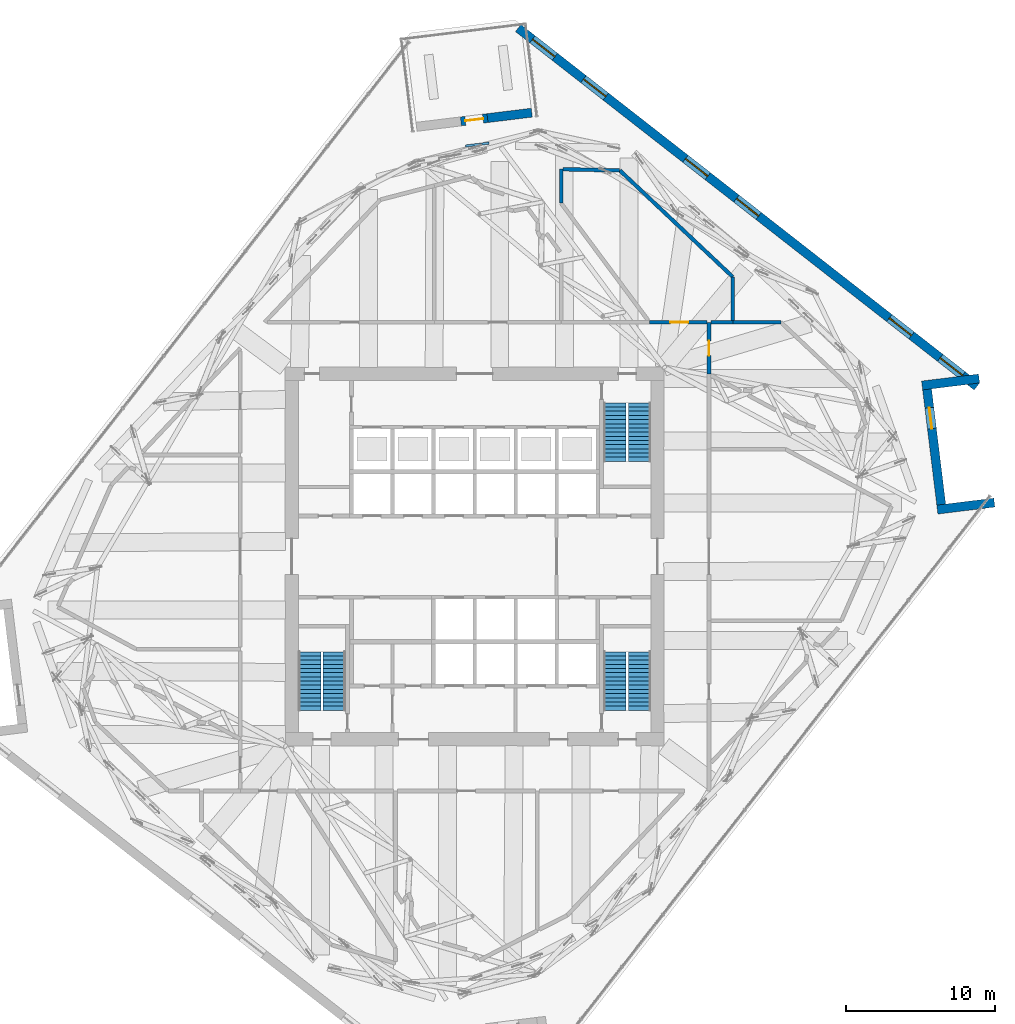
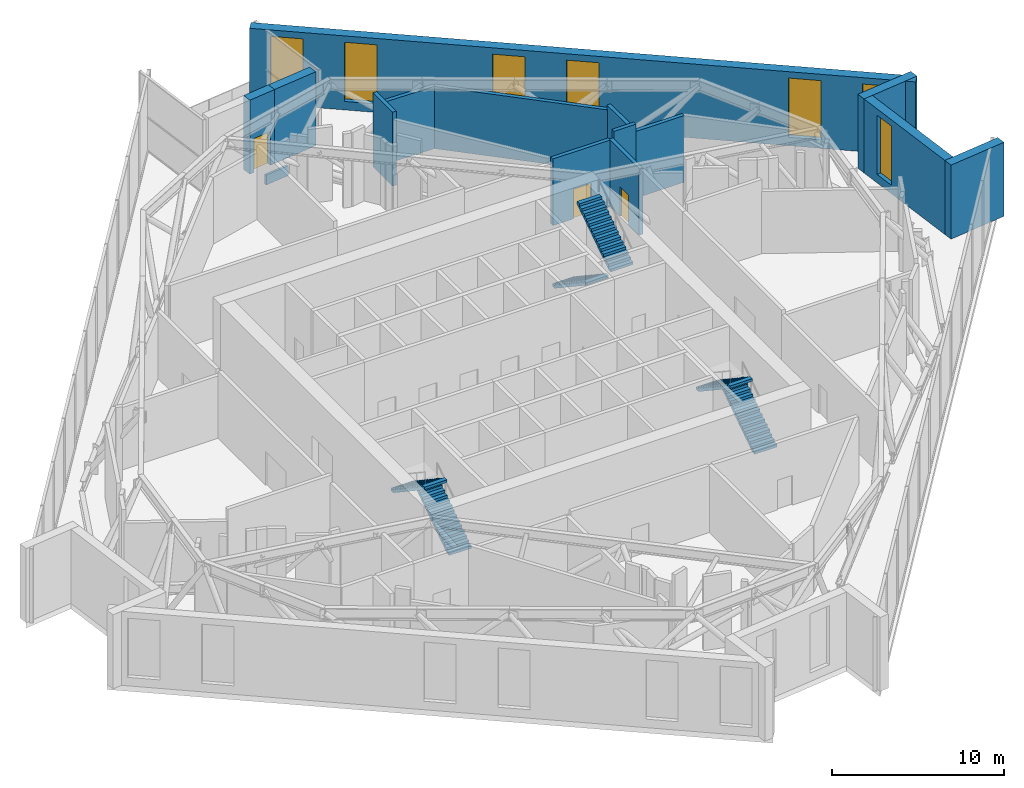
# One storey, part 16 of 23: 15 walls, 7 windows, 6 stair flights, 3 doors, 10 openings, 3 elements without a shape of their own.
"""IFC4 building model written with IfcOpenShell, lengths in metres."""

from ifc_helpers import new_model, si_unit, direction, frame, frame_2d, origin, place, context, subcontext, project, spatial, polyline, rectangle, outline, extrude, material, layer, layer_set, type_object, element, fill, aggregate, save


model = new_model("IFC4")

# Units and contexts
model_context = context("Model", 3, precision=1e-05, world=origin(), true_north=direction((0.0, 1.0)))
body_context = subcontext(model_context, "Body", "Model", "MODEL_VIEW")
ifc_project = project(units=[si_unit("LENGTHUNIT", "METRE"), si_unit("AREAUNIT", "SQUARE_METRE"), si_unit("VOLUMEUNIT", "CUBIC_METRE"), si_unit("PLANEANGLEUNIT", "RADIAN"), si_unit("MASSUNIT", "GRAM", prefix="KILO")], contexts=[model_context])

# Site, building, storey
site_placement = place(None, origin())
site = spatial("IfcSite", under=ifc_project, at=site_placement, CompositionType="ELEMENT")
building_placement = place(site_placement, origin())
building = spatial("IfcBuilding", under=site, at=building_placement, Name="Dilmun Exchange Tower", CompositionType="ELEMENT")
storey_placement = place(building_placement, frame((0.0, 0.0, 237.300048828125)))
storey = spatial("IfcBuildingStorey", under=building, at=storey_placement, Name="L56", CompositionType="ELEMENT", Elevation=237.300048828125)

# Wall, opening, door
ifc_material_1 = material(Name="Concrete C32/40", Category="concrete")
ifc_layer_1 = layer(ifc_material_1, 0.25)
ifc_layer_set_1 = layer_set([ifc_layer_1], Name="Concrete C32/40")
wall_type_1 = type_object("IfcWallType", Name="Plant room wall 250", PredefinedType="PARTITIONING", material=ifc_layer_set_1)
wall_1_placement = place(storey_placement, frame((15.699951171875, 12.227294921875, 0.0), z_axis=(0.0, 0.0, 1.0), x_axis=(0.0, 1.0, 0.0)))
wall_1 = element("IfcWall", 1, at=wall_1_placement, inside=storey, type_object=wall_type_1, Name="L56 plant room wall 72", PredefinedType="PARTITIONING", context=body_context, shape_type="SweptSolid", body=[
    extrude(rectangle(XDim=3.47265625, YDim=0.25, at=frame_2d((1.736328125, 0.0))), origin(), (0.0, 0.0, 1.0), 4.719970703125),
])
opening_1_placement = place(wall_1_placement, frame((1.232421875, 0.0, 0.0)))
opening_1 = element("IfcOpeningElement", 2, at=opening_1_placement, cuts=wall_1, Name="Opening PD1", PredefinedType="OPENING", context=body_context, shape_type="SweptSolid", body=[
    extrude(rectangle(XDim=1.0, YDim=2.10009765625, at=frame_2d((0.5, 1.050048828125))), frame((0.0, 0.135009765625, 0.0), z_axis=(0.0, -1.0, 0.0), x_axis=(1.0, 0.0, 0.0)), (0.0, 0.0, 1.0), 0.27001953125),
])
ifc_material_2 = material(Name="Fire-rated steel door set", Category="steel")
door_type_1 = type_object("IfcDoorType", Name="Plant room door 1000x2100", OperationType="SINGLE_SWING_LEFT", PredefinedType="DOOR", material=ifc_material_2)
door_1_placement = place(opening_1_placement, origin())
door_1 = element("IfcDoor", 3, at=door_1_placement, inside=storey, type_object=door_type_1, Name="L56 door Refuge area", OperationType="SINGLE_SWING_LEFT", OverallHeight=2.10009765625, OverallWidth=1.0, PredefinedType="DOOR", context=body_context, shape_type="SweptSolid", body=[
    extrude(rectangle(XDim=1.0, YDim=2.10009765625, at=frame_2d((0.5, 1.050048828125))), frame((0.0, 0.02490234375, 0.0), z_axis=(0.0, -1.0, 0.0), x_axis=(1.0, 0.0, 0.0)), (0.0, 0.0, 1.0), 0.050048828125),
])
fill(opening_1, door_1)

wall_2_placement = place(storey_placement, frame((11.723388671875, 15.699951171875, 0.0), z_axis=(0.0, 0.0, 1.0), x_axis=(1.0, 0.0, 0.0)))
wall_2 = element("IfcWall", 4, at=wall_2_placement, inside=storey, type_object=wall_type_1, Name="L56 plant room wall 79", PredefinedType="PARTITIONING", context=body_context, shape_type="SweptSolid", body=[
    extrude(rectangle(XDim=3.8466796875, YDim=0.25, at=frame_2d((1.92333984375, 0.0))), origin(), (0.0, 0.0, 1.0), 4.719970703125),
])
opening_2_placement = place(wall_2_placement, frame((1.38330078125, 0.0, 0.0)))
opening_2 = element("IfcOpeningElement", 5, at=opening_2_placement, cuts=wall_2, Name="Opening PD2", PredefinedType="OPENING", context=body_context, shape_type="SweptSolid", body=[
    extrude(rectangle(XDim=1.199951171875, YDim=2.10009765625, at=frame_2d((0.60009765625, 1.050048828125))), frame((0.0, 0.135009765625, 0.0), z_axis=(0.0, -1.0, 0.0), x_axis=(1.0, 0.0, 0.0)), (0.0, 0.0, 1.0), 0.27001953125),
])
door_type_2 = type_object("IfcDoorType", Name="Plant room door 1200x2100", OperationType="SINGLE_SWING_LEFT", PredefinedType="DOOR", material=ifc_material_2)
door_2_placement = place(opening_2_placement, origin())
door_2 = element("IfcDoor", 6, at=door_2_placement, inside=storey, type_object=door_type_2, Name="L56 door Plant fire pump room", OperationType="SINGLE_SWING_RIGHT", OverallHeight=2.10009765625, OverallWidth=1.199951171875, PredefinedType="DOOR", context=body_context, shape_type="SweptSolid", body=[
    extrude(rectangle(XDim=1.199951171875, YDim=2.10009765625, at=frame_2d((0.60009765625, 1.050048828125))), frame((0.0, 0.02490234375, 0.0), z_axis=(0.0, -1.0, 0.0), x_axis=(1.0, 0.0, 0.0)), (0.0, 0.0, 1.0), 0.050048828125),
])
fill(opening_2, door_2)

# Walls
wall_3_placement = place(storey_placement, frame((15.830078125, 15.699951171875, 0.0), z_axis=(0.0, 0.0, 1.0), x_axis=(1.0, 0.0, 0.0)))
element("IfcWall", 7, at=wall_3_placement, inside=storey, type_object=wall_type_1, Name="L56 plant room wall 80", PredefinedType="PARTITIONING", context=body_context, shape_type="SweptSolid", body=[
    extrude(rectangle(XDim=1.469970703125, YDim=0.25, at=frame_2d((0.73486328125, 0.0))), origin(), (0.0, 0.0, 1.0), 5.239990234375),
])
wall_4_placement = place(storey_placement, frame((17.304931640625, 15.699951171875, 0.0), z_axis=(0.0, 0.0, 1.0), x_axis=(1.0, 0.0, 0.0)))
element("IfcWall", 8, at=wall_4_placement, inside=storey, type_object=wall_type_1, Name="L56 plant room wall 81", PredefinedType="PARTITIONING", context=body_context, shape_type="SweptSolid", body=[
    extrude(rectangle(XDim=3.215576171875, YDim=0.25, at=frame_2d((1.60791015625, 0.0))), origin(), (0.0, 0.0, 1.0), 4.719970703125),
])
wall_5_placement = place(storey_placement, frame((17.300048828125, 15.830078125, 0.0), z_axis=(0.0, 0.0, 1.0), x_axis=(0.0, 1.0, 0.0)))
element("IfcWall", 9, at=wall_5_placement, inside=storey, type_object=wall_type_1, Name="L56 plant room wall 83", PredefinedType="PARTITIONING", context=body_context, shape_type="SweptSolid", body=[
    extrude(rectangle(XDim=2.905517578125, YDim=0.25, at=frame_2d((1.45263671875, 0.0))), origin(), (0.0, 0.0, 1.0), 4.719970703125),
])
wall_6_placement = place(storey_placement, frame((5.800048828125, 23.6787109375, 0.0), z_axis=(0.0, 0.0, 1.0), x_axis=(0.0, 1.0, 0.0)))
element("IfcWall", 10, at=wall_6_placement, inside=storey, type_object=wall_type_1, Name="L56 plant room wall 92", PredefinedType="PARTITIONING", context=body_context, shape_type="SweptSolid", body=[
    extrude(rectangle(XDim=2.276123046875, YDim=0.25, at=frame_2d((1.13818359375, 0.0))), origin(), (0.0, 0.0, 1.0), 5.239990234375),
])
wall_7_placement = place(storey_placement, frame((9.724853515625, 25.8759765625, 0.0), z_axis=(0.0, 0.0, 1.0), x_axis=(0.72767407702, -0.685923055185, 0.0)))
element("IfcWall", 11, at=wall_7_placement, inside=storey, type_object=wall_type_1, Name="L56 plant room wall 99", PredefinedType="PARTITIONING", context=body_context, shape_type="SweptSolid", body=[
    extrude(rectangle(XDim=10.40283203125, YDim=0.25, at=frame_2d((5.201416015625, 0.0))), origin(), (0.0, 0.0, 1.0), 4.406005859375),
])
wall_8_placement = place(storey_placement, frame((5.929931640625, 25.952392578125, 0.0), z_axis=(0.0, 0.0, 1.0), x_axis=(0.999797889921, -0.020104211244, 0.0)))
element("IfcWall", 12, at=wall_8_placement, inside=storey, type_object=wall_type_1, Name="L56 plant room wall 100", PredefinedType="PARTITIONING", context=body_context, shape_type="SweptSolid", body=[
    extrude(rectangle(XDim=3.788818359375, YDim=0.25, at=frame_2d((1.89453125, 0.0))), origin(), (0.0, 0.0, 1.0), 4.406005859375),
])
ifc_material_3 = material(Name="Precast concrete C50/60", Category="concrete")
ifc_layer_2 = layer(ifc_material_3, 0.60009765625)
ifc_layer_set_2 = layer_set([ifc_layer_2], Name="Precast concrete C50/60")
wall_type_2 = type_object("IfcWallType", Name="Precast stone-clad wall 600", PredefinedType="STANDARD", material=ifc_layer_set_2)
wall_9_placement = place(storey_placement, frame((34.820556640625, 3.616943359375, 0.0), z_axis=(0.0, 0.0, 1.0), x_axis=(-0.992546957467, -0.1218627803, 0.0)))
element("IfcWall", 13, at=wall_9_placement, inside=storey, type_object=wall_type_2, Name="Facade wall L56-12", PredefinedType="STANDARD", context=body_context, shape_type="SweptSolid", body=[
    extrude(rectangle(XDim=3.846435546875, YDim=0.60009765625, at=frame_2d((1.92333984375, 0.0))), origin(), (0.0, 0.0, 1.0), 5.239990234375),
])

# Wall, opening, window
wall_10_placement = place(storey_placement, frame((31.263916015625, 3.482421875, 0.0), z_axis=(0.0, 0.0, 1.0), x_axis=(-0.121878824437, 0.992544987471, 0.0)))
wall_10 = element("IfcWall", 14, at=wall_10_placement, inside=storey, type_object=wall_type_2, Name="Facade wall L56-13", PredefinedType="STANDARD", context=body_context, shape_type="SweptSolid", body=[
    extrude(rectangle(XDim=7.7783203125, YDim=0.60009765625, at=frame_2d((3.88916015625, 0.0))), origin(), (0.0, 0.0, 1.0), 5.239990234375),
])
opening_3_placement = place(wall_10_placement, frame((5.133544921875, 0.0, 0.60009765625)))
opening_3 = element("IfcOpeningElement", 15, at=opening_3_placement, cuts=wall_10, Name="Opening LV140-419", PredefinedType="OPENING", context=body_context, shape_type="SweptSolid", body=[
    extrude(rectangle(XDim=1.39990234375, YDim=4.18994140625, at=frame_2d((0.699951171875, 2.094970703125))), frame((0.0, 0.31005859375, 0.0), z_axis=(0.0, -1.0, 0.0), x_axis=(1.0, 0.0, 0.0)), (0.0, 0.0, 1.0), 0.6201171875),
])
ifc_material_4 = material(Name="Anodised aluminium louvre blades with sand trap", Category="aluminium")
window_type_1 = type_object("IfcWindowType", Name="Plant louvre 1400 x 4190", PartitioningType="SINGLE_PANEL", PredefinedType="USERDEFINED", material=ifc_material_4)
window_1_placement = place(opening_3_placement, origin())
window_1 = element("IfcWindow", 16, at=window_1_placement, inside=storey, type_object=window_type_1, Name="Plant louvre 14.2", ObjectType="LOUVRE", OverallHeight=4.18994140625, OverallWidth=1.39990234375, PartitioningType="SINGLE_PANEL", PredefinedType="USERDEFINED", context=body_context, shape_type="SweptSolid", body=[
    extrude(rectangle(XDim=1.39990234375, YDim=4.18994140625, at=frame_2d((0.699951171875, 2.094970703125))), frame((0.0, 0.030029296875, 0.0), z_axis=(0.0, -1.0, 0.0), x_axis=(1.0, 0.0, 0.0)), (0.0, 0.0, 1.0), 0.06005859375),
])
fill(opening_3, window_1)

# Wall
wall_11_placement = place(storey_placement, frame((29.981689453125, 11.4638671875, 0.0), z_axis=(0.0, 0.0, 1.0), x_axis=(0.992546957467, 0.1218627803, 0.0)))
element("IfcWall", 17, at=wall_11_placement, inside=storey, type_object=wall_type_2, Name="Facade wall L56-14", PredefinedType="STANDARD", context=body_context, shape_type="SweptSolid", body=[
    extrude(rectangle(XDim=3.846435546875, YDim=0.60009765625, at=frame_2d((1.92333984375, 0.0))), origin(), (0.0, 0.0, 1.0), 5.239990234375),
])

# Wall, openings, windows
wall_12_placement = place(storey_placement, frame((33.6513671875, 11.3984375, 0.0), z_axis=(0.0, 0.0, 1.0), x_axis=(-0.788011466291, 0.61566056313, 0.0)))
wall_12 = element("IfcWall", 18, at=wall_12_placement, inside=storey, type_object=wall_type_2, Name="Facade wall L56-15", PredefinedType="STANDARD", context=body_context, shape_type="SweptSolid", body=[
    extrude(rectangle(XDim=39.0, YDim=0.60009765625, at=frame_2d((19.5, 0.0))), origin(), (0.0, 0.0, 1.0), 5.239990234375),
])
opening_4_placement = place(wall_12_placement, frame((1.216796875, 0.0, 0.60009765625)))
opening_4 = element("IfcOpeningElement", 19, at=opening_4_placement, cuts=wall_12, Name="Opening LV190-419", PredefinedType="OPENING", context=body_context, shape_type="SweptSolid", body=[
    extrude(rectangle(XDim=1.89990234375, YDim=4.18994140625, at=frame_2d((0.949951171875, 2.094970703125))), frame((0.0, 0.31005859375, 0.0), z_axis=(0.0, -1.0, 0.0), x_axis=(1.0, 0.0, 0.0)), (0.0, 0.0, 1.0), 0.6201171875),
])
opening_5_placement = place(wall_12_placement, frame((5.550048828125, 0.0, 0.60009765625)))
opening_5 = element("IfcOpeningElement", 20, at=opening_5_placement, cuts=wall_12, Name="Opening LV190-419", PredefinedType="OPENING", context=body_context, shape_type="SweptSolid", body=[
    extrude(rectangle(XDim=1.89990234375, YDim=4.18994140625, at=frame_2d((0.949951171875, 2.094970703125))), frame((0.0, 0.31005859375, 0.0), z_axis=(0.0, -1.0, 0.0), x_axis=(1.0, 0.0, 0.0)), (0.0, 0.0, 1.0), 0.6201171875),
])
opening_6_placement = place(wall_12_placement, frame((18.550048828125, 0.0, 0.60009765625)))
opening_6 = element("IfcOpeningElement", 21, at=opening_6_placement, cuts=wall_12, Name="Opening LV190-419", PredefinedType="OPENING", context=body_context, shape_type="SweptSolid", body=[
    extrude(rectangle(XDim=1.89990234375, YDim=4.18994140625, at=frame_2d((0.949951171875, 2.094970703125))), frame((0.0, 0.31005859375, 0.0), z_axis=(0.0, -1.0, 0.0), x_axis=(1.0, 0.0, 0.0)), (0.0, 0.0, 1.0), 0.6201171875),
])
opening_7_placement = place(wall_12_placement, frame((22.88330078125, 0.0, 0.60009765625)))
opening_7 = element("IfcOpeningElement", 22, at=opening_7_placement, cuts=wall_12, Name="Opening LV190-419", PredefinedType="OPENING", context=body_context, shape_type="SweptSolid", body=[
    extrude(rectangle(XDim=1.89990234375, YDim=4.18994140625, at=frame_2d((0.949951171875, 2.094970703125))), frame((0.0, 0.31005859375, 0.0), z_axis=(0.0, -1.0, 0.0), x_axis=(1.0, 0.0, 0.0)), (0.0, 0.0, 1.0), 0.6201171875),
])
opening_8_placement = place(wall_12_placement, frame((31.550048828125, 0.0, 0.60009765625)))
opening_8 = element("IfcOpeningElement", 23, at=opening_8_placement, cuts=wall_12, Name="Opening LV190-419", PredefinedType="OPENING", context=body_context, shape_type="SweptSolid", body=[
    extrude(rectangle(XDim=1.89990234375, YDim=4.18994140625, at=frame_2d((0.949951171875, 2.094970703125))), frame((0.0, 0.31005859375, 0.0), z_axis=(0.0, -1.0, 0.0), x_axis=(1.0, 0.0, 0.0)), (0.0, 0.0, 1.0), 0.6201171875),
])
opening_9_placement = place(wall_12_placement, frame((35.88330078125, 0.0, 0.60009765625)))
opening_9 = element("IfcOpeningElement", 24, at=opening_9_placement, cuts=wall_12, Name="Opening LV190-419", PredefinedType="OPENING", context=body_context, shape_type="SweptSolid", body=[
    extrude(rectangle(XDim=1.89990234375, YDim=4.18994140625, at=frame_2d((0.949951171875, 2.094970703125))), frame((0.0, 0.31005859375, 0.0), z_axis=(0.0, -1.0, 0.0), x_axis=(1.0, 0.0, 0.0)), (0.0, 0.0, 1.0), 0.6201171875),
])
window_type_2 = type_object("IfcWindowType", Name="Plant louvre 1900 x 4190", PartitioningType="SINGLE_PANEL", PredefinedType="USERDEFINED", material=ifc_material_4)
window_2_placement = place(opening_4_placement, origin())
window_2 = element("IfcWindow", 25, at=window_2_placement, inside=storey, type_object=window_type_2, Name="Plant louvre 16.1", ObjectType="LOUVRE", OverallHeight=4.18994140625, OverallWidth=1.89990234375, PartitioningType="SINGLE_PANEL", PredefinedType="USERDEFINED", context=body_context, shape_type="SweptSolid", body=[
    extrude(rectangle(XDim=1.89990234375, YDim=4.18994140625, at=frame_2d((0.949951171875, 2.094970703125))), frame((0.0, 0.030029296875, 0.0), z_axis=(0.0, -1.0, 0.0), x_axis=(1.0, 0.0, 0.0)), (0.0, 0.0, 1.0), 0.06005859375),
])
fill(opening_4, window_2)
window_3_placement = place(opening_5_placement, origin())
window_3 = element("IfcWindow", 26, at=window_3_placement, inside=storey, type_object=window_type_2, Name="Plant louvre 16.2", ObjectType="LOUVRE", OverallHeight=4.18994140625, OverallWidth=1.89990234375, PartitioningType="SINGLE_PANEL", PredefinedType="USERDEFINED", context=body_context, shape_type="SweptSolid", body=[
    extrude(rectangle(XDim=1.89990234375, YDim=4.18994140625, at=frame_2d((0.949951171875, 2.094970703125))), frame((0.0, 0.030029296875, 0.0), z_axis=(0.0, -1.0, 0.0), x_axis=(1.0, 0.0, 0.0)), (0.0, 0.0, 1.0), 0.06005859375),
])
fill(opening_5, window_3)
window_4_placement = place(opening_6_placement, origin())
window_4 = element("IfcWindow", 27, at=window_4_placement, inside=storey, type_object=window_type_2, Name="Plant louvre 16.5", ObjectType="LOUVRE", OverallHeight=4.18994140625, OverallWidth=1.89990234375, PartitioningType="SINGLE_PANEL", PredefinedType="USERDEFINED", context=body_context, shape_type="SweptSolid", body=[
    extrude(rectangle(XDim=1.89990234375, YDim=4.18994140625, at=frame_2d((0.949951171875, 2.094970703125))), frame((0.0, 0.030029296875, 0.0), z_axis=(0.0, -1.0, 0.0), x_axis=(1.0, 0.0, 0.0)), (0.0, 0.0, 1.0), 0.06005859375),
])
fill(opening_6, window_4)
window_5_placement = place(opening_7_placement, origin())
window_5 = element("IfcWindow", 28, at=window_5_placement, inside=storey, type_object=window_type_2, Name="Plant louvre 16.6", ObjectType="LOUVRE", OverallHeight=4.18994140625, OverallWidth=1.89990234375, PartitioningType="SINGLE_PANEL", PredefinedType="USERDEFINED", context=body_context, shape_type="SweptSolid", body=[
    extrude(rectangle(XDim=1.89990234375, YDim=4.18994140625, at=frame_2d((0.949951171875, 2.094970703125))), frame((0.0, 0.030029296875, 0.0), z_axis=(0.0, -1.0, 0.0), x_axis=(1.0, 0.0, 0.0)), (0.0, 0.0, 1.0), 0.06005859375),
])
fill(opening_7, window_5)
window_6_placement = place(opening_8_placement, origin())
window_6 = element("IfcWindow", 29, at=window_6_placement, inside=storey, type_object=window_type_2, Name="Plant louvre 16.8", ObjectType="LOUVRE", OverallHeight=4.18994140625, OverallWidth=1.89990234375, PartitioningType="SINGLE_PANEL", PredefinedType="USERDEFINED", context=body_context, shape_type="SweptSolid", body=[
    extrude(rectangle(XDim=1.89990234375, YDim=4.18994140625, at=frame_2d((0.949951171875, 2.094970703125))), frame((0.0, 0.030029296875, 0.0), z_axis=(0.0, -1.0, 0.0), x_axis=(1.0, 0.0, 0.0)), (0.0, 0.0, 1.0), 0.06005859375),
])
fill(opening_8, window_6)
window_7_placement = place(opening_9_placement, origin())
window_7 = element("IfcWindow", 30, at=window_7_placement, inside=storey, type_object=window_type_2, Name="Plant louvre 16.9", ObjectType="LOUVRE", OverallHeight=4.18994140625, OverallWidth=1.89990234375, PartitioningType="SINGLE_PANEL", PredefinedType="USERDEFINED", context=body_context, shape_type="SweptSolid", body=[
    extrude(rectangle(XDim=1.89990234375, YDim=4.18994140625, at=frame_2d((0.949951171875, 2.094970703125))), frame((0.0, 0.030029296875, 0.0), z_axis=(0.0, -1.0, 0.0), x_axis=(1.0, 0.0, 0.0)), (0.0, 0.0, 1.0), 0.06005859375),
])
fill(opening_9, window_7)

# Wall
wall_13_placement = place(storey_placement, frame((3.828369140625, 29.74365234375, 0.0), z_axis=(0.0, 0.0, 1.0), x_axis=(-0.992546922089, -0.121863068446, 0.0)))
element("IfcWall", 31, at=wall_13_placement, inside=storey, type_object=wall_type_2, Name="Facade wall L56-01-0B", PredefinedType="STANDARD", context=body_context, shape_type="SweptSolid", body=[
    extrude(rectangle(XDim=2.989013671875, YDim=0.60009765625, at=frame_2d((1.49462890625, 0.0))), origin(), (0.0, 0.0, 1.0), 5.239990234375),
])

# Wall, opening, door
wall_14_placement = place(storey_placement, frame((0.861572265625, 29.37939453125, 0.0), z_axis=(0.0, 0.0, 1.0), x_axis=(-0.992538560619, -0.121931151407, 0.0)))
wall_14 = element("IfcWall", 32, at=wall_14_placement, inside=storey, type_object=wall_type_2, Name="Facade wall L56-01-D", PredefinedType="STANDARD", context=body_context, shape_type="SweptSolid", body=[
    extrude(rectangle(XDim=1.800048828125, YDim=0.60009765625, at=frame_2d((0.89990234375, 0.0))), origin(), (0.0, 0.0, 1.0), 5.239990234375),
])
opening_10_placement = place(wall_14_placement, frame((0.300048828125, 0.0, 0.0)))
opening_10 = element("IfcOpeningElement", 33, at=opening_10_placement, cuts=wall_14, Name="Opening GD-1", PredefinedType="OPENING", context=body_context, shape_type="SweptSolid", body=[
    extrude(rectangle(XDim=1.199951171875, YDim=2.39990234375, at=frame_2d((0.60009765625, 1.199951171875))), frame((0.0, 0.31005859375, 0.0), z_axis=(0.0, -1.0, 0.0), x_axis=(1.0, 0.0, 0.0)), (0.0, 0.0, 1.0), 0.6201171875),
])
ifc_material_5 = material(Name="Clear low-emissivity glass in aluminium frame", Category="aluminium")
door_type_3 = type_object("IfcDoorType", Name="Glazed garden door 1200 x 2400", OperationType="SINGLE_SWING_LEFT", PredefinedType="DOOR", material=ifc_material_5)
door_3_placement = place(opening_10_placement, origin())
door_3 = element("IfcDoor", 34, at=door_3_placement, inside=storey, type_object=door_type_3, Name="Garden terrace door", OperationType="SINGLE_SWING_LEFT", OverallHeight=2.39990234375, OverallWidth=1.199951171875, PredefinedType="DOOR", context=body_context, shape_type="SweptSolid", body=[
    extrude(rectangle(XDim=1.199951171875, YDim=2.39990234375, at=frame_2d((0.60009765625, 1.199951171875))), frame((0.0, 0.02490234375, 0.0), z_axis=(0.0, -1.0, 0.0), x_axis=(1.0, 0.0, 0.0)), (0.0, 0.0, 1.0), 0.050048828125),
])
fill(opening_10, door_3)

# Wall
ifc_layer_3 = layer(ifc_material_1, 0.14990234375)
ifc_layer_set_3 = layer_set([ifc_layer_3], Name="Concrete C32/40")
wall_type_3 = type_object("IfcWallType", Name="Truss kerb wall 150", PredefinedType="PARTITIONING", material=ifc_layer_set_3)
wall_15_placement = place(storey_placement, frame((0.96630859375, 27.70458984375, 0.0), z_axis=(0.0, 0.0, 1.0), x_axis=(-0.992538595951, -0.121930863801, 0.0)))
element("IfcWall", 35, at=wall_15_placement, inside=storey, type_object=wall_type_3, Name="L56 truss kerb wall", PredefinedType="PARTITIONING", context=body_context, shape_type="SweptSolid", body=[
    extrude(rectangle(XDim=1.599853515625, YDim=0.14990234375, at=frame_2d((0.7998046875, 0.0))), origin(), (0.0, 0.0, 1.0), 0.699951171875),
])

# Stair, stair flights
ifc_material_6 = material(Name="Concrete C40/50", Category="concrete")
stair_type = type_object("IfcStairType", Name="Exit stair 1500 half-turn", PredefinedType="HALF_TURN_STAIR", material=ifc_material_6)
stair_1_placement = place(storey_placement, origin())
stair_1 = element("IfcStair", 36, at=stair_1_placement, inside=storey, type_object=stair_type, Name="L56 Protected exit stair ST1", PredefinedType="HALF_TURN_STAIR")
stair_flight_type = type_object("IfcStairFlightType", Name="Exit stair flight 1500", PredefinedType="STRAIGHT", material=ifc_material_6)
stair_flight_1_placement = place(storey_placement, frame((9.39990234375, 10.300048828125, 0.0), z_axis=(0.0, 0.0, 1.0), x_axis=(0.0, -1.0, 0.0)))
stair_flight_1 = element("IfcStairFlight", 37, at=stair_flight_1_placement, type_object=stair_flight_type, Name="ST1 flight 1", NumberOfRisers=15, NumberOfTreads=14, PredefinedType="STRAIGHT", RiserHeight=0.186666667, TreadLength=0.28, context=body_context, shape_type="SweptSolid", body=[
    extrude(outline(polyline([(0.0, 0.0), (0.0, 0.186767578125), (0.280029296875, 0.186767578125), (0.280029296875, 0.373291015625), (0.56005859375, 0.373291015625), (0.56005859375, 0.56005859375), (0.840087890625, 0.56005859375), (0.840087890625, 0.74658203125), (1.1201171875, 0.74658203125), (1.1201171875, 0.933349609375), (1.39990234375, 0.933349609375), (1.39990234375, 1.1201171875), (1.679931640625, 1.1201171875), (1.679931640625, 1.306640625), (1.9599609375, 1.306640625), (1.9599609375, 1.493408203125), (2.239990234375, 1.493408203125), (2.239990234375, 1.679931640625), (2.52001953125, 1.679931640625), (2.52001953125, 1.86669921875), (2.800048828125, 1.86669921875), (2.800048828125, 2.05322265625), (3.080078125, 2.05322265625), (3.080078125, 2.239990234375), (3.360107421875, 2.239990234375), (3.360107421875, 2.4267578125), (3.639892578125, 2.4267578125), (3.639892578125, 2.61328125), (3.919921875, 2.61328125), (3.919921875, 2.800048828125), (3.919921875, 2.43310546875), (0.270263671875, 0.0), (0.0, 0.0)])), frame((0.0, 0.75, 0.0), z_axis=(0.0, -1.0, 0.0), x_axis=(1.0, 0.0, 0.0)), (0.0, 0.0, 1.0), 1.5),
])
stair_flight_2_placement = place(storey_placement, frame((11.050048828125, 6.3798828125, 2.800048828125), z_axis=(0.0, 0.0, 1.0), x_axis=(0.0, 1.0, 0.0)))
stair_flight_2 = element("IfcStairFlight", 38, at=stair_flight_2_placement, type_object=stair_flight_type, Name="ST1 flight 2", NumberOfRisers=15, NumberOfTreads=14, PredefinedType="STRAIGHT", RiserHeight=0.186666667, TreadLength=0.28, context=body_context, shape_type="SweptSolid", body=[
    extrude(outline(polyline([(0.0, 0.0), (0.0, 0.186767578125), (0.280029296875, 0.186767578125), (0.280029296875, 0.373291015625), (0.56005859375, 0.373291015625), (0.56005859375, 0.56005859375), (0.840087890625, 0.56005859375), (0.840087890625, 0.74658203125), (1.1201171875, 0.74658203125), (1.1201171875, 0.933349609375), (1.39990234375, 0.933349609375), (1.39990234375, 1.1201171875), (1.679931640625, 1.1201171875), (1.679931640625, 1.306640625), (1.9599609375, 1.306640625), (1.9599609375, 1.493408203125), (2.239990234375, 1.493408203125), (2.239990234375, 1.679931640625), (2.52001953125, 1.679931640625), (2.52001953125, 1.86669921875), (2.800048828125, 1.86669921875), (2.800048828125, 2.05322265625), (3.080078125, 2.05322265625), (3.080078125, 2.239990234375), (3.360107421875, 2.239990234375), (3.360107421875, 2.4267578125), (3.639892578125, 2.4267578125), (3.639892578125, 2.61328125), (3.919921875, 2.61328125), (3.919921875, 2.800048828125), (3.919921875, 2.43310546875), (0.270263671875, 0.0), (0.0, 0.0)])), frame((0.0, 0.75, 0.0), z_axis=(0.0, -1.0, 0.0), x_axis=(1.0, 0.0, 0.0)), (0.0, 0.0, 1.0), 1.5),
])
aggregate(stair_1, [stair_flight_1, stair_flight_2])

stair_2_placement = place(storey_placement, origin())
stair_2 = element("IfcStair", 39, at=stair_2_placement, inside=storey, type_object=stair_type, Name="L56 Protected exit stair ST2", PredefinedType="HALF_TURN_STAIR")
stair_flight_3_placement = place(storey_placement, frame((-9.39990234375, -10.300048828125, 0.0), z_axis=(0.0, 0.0, 1.0), x_axis=(0.0, 1.0, 0.0)))
stair_flight_3 = element("IfcStairFlight", 40, at=stair_flight_3_placement, type_object=stair_flight_type, Name="ST2 flight 1", NumberOfRisers=15, NumberOfTreads=14, PredefinedType="STRAIGHT", RiserHeight=0.186666667, TreadLength=0.28, context=body_context, shape_type="SweptSolid", body=[
    extrude(outline(polyline([(0.0, 0.0), (0.0, 0.186767578125), (0.280029296875, 0.186767578125), (0.280029296875, 0.373291015625), (0.56005859375, 0.373291015625), (0.56005859375, 0.56005859375), (0.840087890625, 0.56005859375), (0.840087890625, 0.74658203125), (1.1201171875, 0.74658203125), (1.1201171875, 0.933349609375), (1.39990234375, 0.933349609375), (1.39990234375, 1.1201171875), (1.679931640625, 1.1201171875), (1.679931640625, 1.306640625), (1.9599609375, 1.306640625), (1.9599609375, 1.493408203125), (2.239990234375, 1.493408203125), (2.239990234375, 1.679931640625), (2.52001953125, 1.679931640625), (2.52001953125, 1.86669921875), (2.800048828125, 1.86669921875), (2.800048828125, 2.05322265625), (3.080078125, 2.05322265625), (3.080078125, 2.239990234375), (3.360107421875, 2.239990234375), (3.360107421875, 2.4267578125), (3.639892578125, 2.4267578125), (3.639892578125, 2.61328125), (3.919921875, 2.61328125), (3.919921875, 2.800048828125), (3.919921875, 2.43310546875), (0.270263671875, 0.0), (0.0, 0.0)])), frame((0.0, 0.75, 0.0), z_axis=(0.0, -1.0, 0.0), x_axis=(1.0, 0.0, 0.0)), (0.0, 0.0, 1.0), 1.5),
])
stair_flight_4_placement = place(storey_placement, frame((-11.050048828125, -6.3798828125, 2.800048828125), z_axis=(0.0, 0.0, 1.0), x_axis=(0.0, -1.0, 0.0)))
stair_flight_4 = element("IfcStairFlight", 41, at=stair_flight_4_placement, type_object=stair_flight_type, Name="ST2 flight 2", NumberOfRisers=15, NumberOfTreads=14, PredefinedType="STRAIGHT", RiserHeight=0.186666667, TreadLength=0.28, context=body_context, shape_type="SweptSolid", body=[
    extrude(outline(polyline([(0.0, 0.0), (0.0, 0.186767578125), (0.280029296875, 0.186767578125), (0.280029296875, 0.373291015625), (0.56005859375, 0.373291015625), (0.56005859375, 0.56005859375), (0.840087890625, 0.56005859375), (0.840087890625, 0.74658203125), (1.1201171875, 0.74658203125), (1.1201171875, 0.933349609375), (1.39990234375, 0.933349609375), (1.39990234375, 1.1201171875), (1.679931640625, 1.1201171875), (1.679931640625, 1.306640625), (1.9599609375, 1.306640625), (1.9599609375, 1.493408203125), (2.239990234375, 1.493408203125), (2.239990234375, 1.679931640625), (2.52001953125, 1.679931640625), (2.52001953125, 1.86669921875), (2.800048828125, 1.86669921875), (2.800048828125, 2.05322265625), (3.080078125, 2.05322265625), (3.080078125, 2.239990234375), (3.360107421875, 2.239990234375), (3.360107421875, 2.4267578125), (3.639892578125, 2.4267578125), (3.639892578125, 2.61328125), (3.919921875, 2.61328125), (3.919921875, 2.800048828125), (3.919921875, 2.43310546875), (0.270263671875, 0.0), (0.0, 0.0)])), frame((0.0, 0.75, 0.0), z_axis=(0.0, -1.0, 0.0), x_axis=(1.0, 0.0, 0.0)), (0.0, 0.0, 1.0), 1.5),
])
aggregate(stair_2, [stair_flight_3, stair_flight_4])

stair_3_placement = place(storey_placement, origin())
stair_3 = element("IfcStair", 42, at=stair_3_placement, inside=storey, type_object=stair_type, Name="L56 Protected exit stair ST3", PredefinedType="HALF_TURN_STAIR")
stair_flight_5_placement = place(storey_placement, frame((11.050048828125, -10.300048828125, 0.0), z_axis=(0.0, 0.0, 1.0), x_axis=(0.0, 1.0, 0.0)))
stair_flight_5 = element("IfcStairFlight", 43, at=stair_flight_5_placement, type_object=stair_flight_type, Name="ST3 flight 1", NumberOfRisers=15, NumberOfTreads=14, PredefinedType="STRAIGHT", RiserHeight=0.186666667, TreadLength=0.28, context=body_context, shape_type="SweptSolid", body=[
    extrude(outline(polyline([(0.0, 0.0), (0.0, 0.186767578125), (0.280029296875, 0.186767578125), (0.280029296875, 0.373291015625), (0.56005859375, 0.373291015625), (0.56005859375, 0.56005859375), (0.840087890625, 0.56005859375), (0.840087890625, 0.74658203125), (1.1201171875, 0.74658203125), (1.1201171875, 0.933349609375), (1.39990234375, 0.933349609375), (1.39990234375, 1.1201171875), (1.679931640625, 1.1201171875), (1.679931640625, 1.306640625), (1.9599609375, 1.306640625), (1.9599609375, 1.493408203125), (2.239990234375, 1.493408203125), (2.239990234375, 1.679931640625), (2.52001953125, 1.679931640625), (2.52001953125, 1.86669921875), (2.800048828125, 1.86669921875), (2.800048828125, 2.05322265625), (3.080078125, 2.05322265625), (3.080078125, 2.239990234375), (3.360107421875, 2.239990234375), (3.360107421875, 2.4267578125), (3.639892578125, 2.4267578125), (3.639892578125, 2.61328125), (3.919921875, 2.61328125), (3.919921875, 2.800048828125), (3.919921875, 2.43310546875), (0.270263671875, 0.0), (0.0, 0.0)])), frame((0.0, 0.75, 0.0), z_axis=(0.0, -1.0, 0.0), x_axis=(1.0, 0.0, 0.0)), (0.0, 0.0, 1.0), 1.5),
])
stair_flight_6_placement = place(storey_placement, frame((9.39990234375, -6.3798828125, 2.800048828125), z_axis=(0.0, 0.0, 1.0), x_axis=(0.0, -1.0, 0.0)))
stair_flight_6 = element("IfcStairFlight", 44, at=stair_flight_6_placement, type_object=stair_flight_type, Name="ST3 flight 2", NumberOfRisers=15, NumberOfTreads=14, PredefinedType="STRAIGHT", RiserHeight=0.186666667, TreadLength=0.28, context=body_context, shape_type="SweptSolid", body=[
    extrude(outline(polyline([(0.0, 0.0), (0.0, 0.186767578125), (0.280029296875, 0.186767578125), (0.280029296875, 0.373291015625), (0.56005859375, 0.373291015625), (0.56005859375, 0.56005859375), (0.840087890625, 0.56005859375), (0.840087890625, 0.74658203125), (1.1201171875, 0.74658203125), (1.1201171875, 0.933349609375), (1.39990234375, 0.933349609375), (1.39990234375, 1.1201171875), (1.679931640625, 1.1201171875), (1.679931640625, 1.306640625), (1.9599609375, 1.306640625), (1.9599609375, 1.493408203125), (2.239990234375, 1.493408203125), (2.239990234375, 1.679931640625), (2.52001953125, 1.679931640625), (2.52001953125, 1.86669921875), (2.800048828125, 1.86669921875), (2.800048828125, 2.05322265625), (3.080078125, 2.05322265625), (3.080078125, 2.239990234375), (3.360107421875, 2.239990234375), (3.360107421875, 2.4267578125), (3.639892578125, 2.4267578125), (3.639892578125, 2.61328125), (3.919921875, 2.61328125), (3.919921875, 2.800048828125), (3.919921875, 2.43310546875), (0.270263671875, 0.0), (0.0, 0.0)])), frame((0.0, 0.75, 0.0), z_axis=(0.0, -1.0, 0.0), x_axis=(1.0, 0.0, 0.0)), (0.0, 0.0, 1.0), 1.5),
])
aggregate(stair_3, [stair_flight_5, stair_flight_6])

save(model, "model.ifc")
